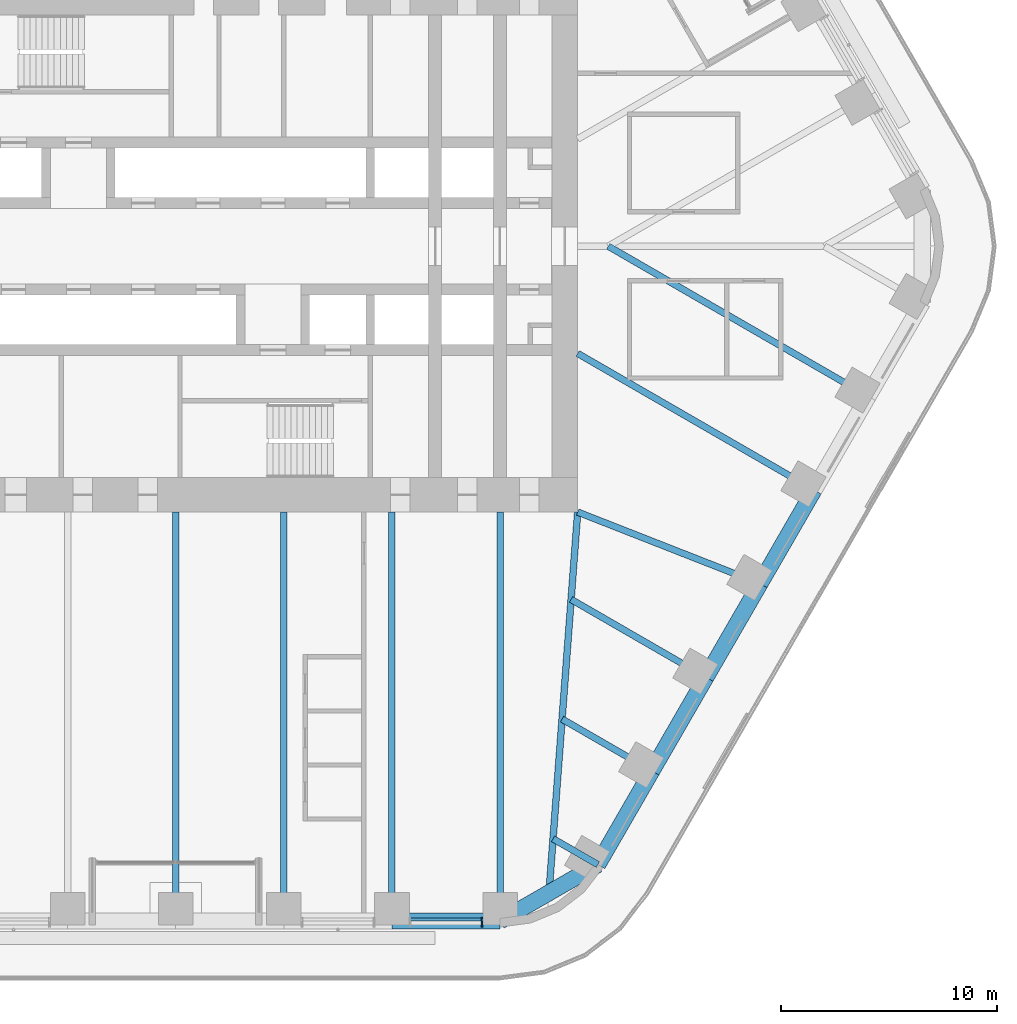
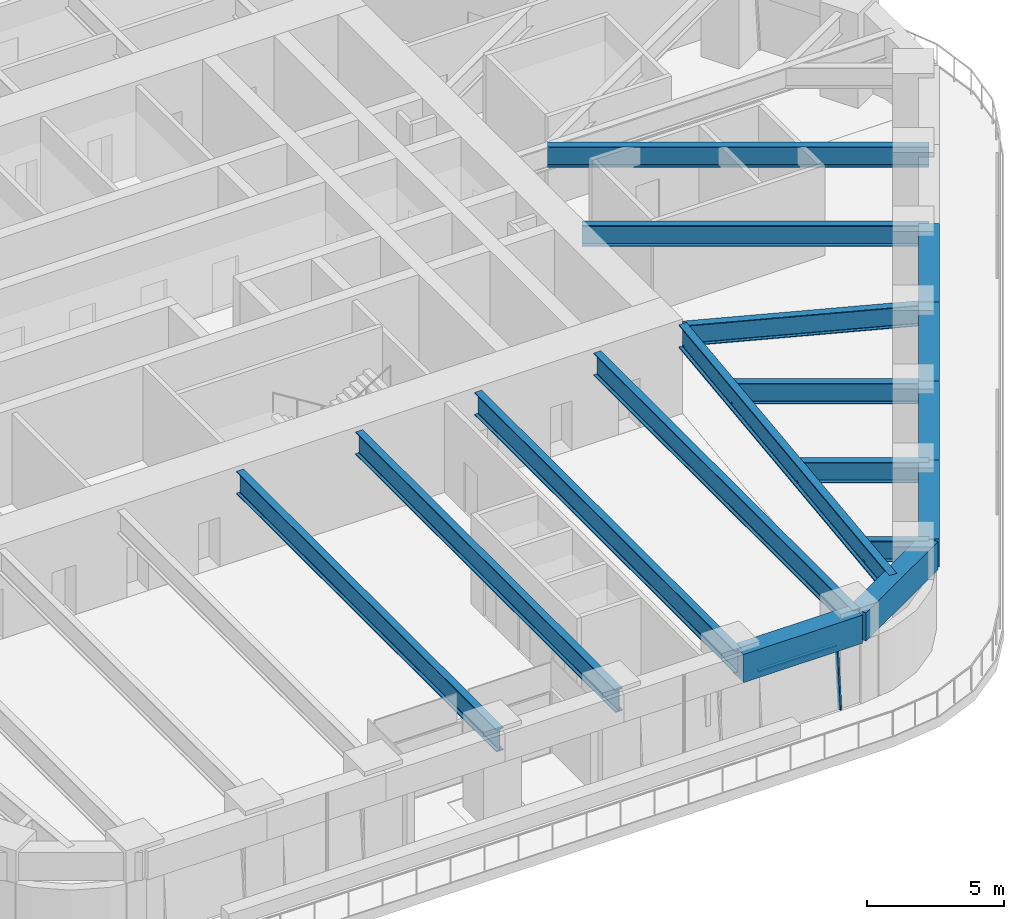
# One storey, part 5 of 24: 17 beams, 2 members, 1 element without a shape of its own.
"""IFC4 building model written with IfcOpenShell, lengths in metres."""

from ifc_helpers import new_model, si_unit, direction, frame, origin, origin_2d, place, context, subcontext, project, spatial, rectangle, i_section, extrude, material, material_profile, profile_set, type_object, element, aggregate, save


model = new_model("IFC4")

# Units and contexts
model_context = context("Model", 3, precision=1e-05, world=origin(), true_north=direction((0.0, 1.0)))
body_context = subcontext(model_context, "Body", "Model", "MODEL_VIEW")
ifc_project = project(units=[si_unit("LENGTHUNIT", "METRE"), si_unit("AREAUNIT", "SQUARE_METRE"), si_unit("VOLUMEUNIT", "CUBIC_METRE"), si_unit("PLANEANGLEUNIT", "RADIAN"), si_unit("MASSUNIT", "GRAM", prefix="KILO")], contexts=[model_context])

# Site, building, storey
site_placement = place(None, origin())
site = spatial("IfcSite", under=ifc_project, at=site_placement, CompositionType="ELEMENT")
building_placement = place(site_placement, origin())
building = spatial("IfcBuilding", under=site, at=building_placement, Name="Tarfa Lantern Tower", CompositionType="ELEMENT")
storey_placement = place(building_placement, frame((0.0, 0.0, 144.699951171875)))
storey = spatial("IfcBuildingStorey", under=building, at=storey_placement, Name="L32", CompositionType="ELEMENT", Elevation=144.699951171875)

# Curtain wall, members
ifc_material_1 = material(Name="Aluminium framed curtain wall", Category="aluminium")
curtain_wall_type = type_object("IfcCurtainWallType", Name="CW2 CANTED GLAZING MID ZONE 2750", PredefinedType="USERDEFINED", material=ifc_material_1)
curtain_wall_placement = place(storey_placement, origin())
curtain_wall = element("IfcCurtainWall", 1, at=curtain_wall_placement, inside=storey, type_object=curtain_wall_type, Name="CW2 SB L32", ObjectType="CURTAIN WALL", PredefinedType="USERDEFINED")
ifc_material_2 = material(Name="Aluminium mullion", Category="aluminium")
ifc_material_profile_1 = material_profile(ifc_material_2, rectangle(XDim=0.06494140625, YDim=0.199951171875, at=origin_2d()), Name="AL MULLION 65x200")
ifc_profile_set_1 = profile_set([ifc_material_profile_1], Name="Aluminium mullion")
member_type_1 = type_object("IfcMemberType", Name="CWM1 MULLION 65x200", PredefinedType="MULLION", material=ifc_profile_set_1)
member_1_placement = place(storey_placement, frame((14.1787109375, -31.39990234375, 0.0), z_axis=(0.0, 0.090535746043, 0.995893206468), x_axis=(-1.0, 0.0, 0.0)))
member_1 = element("IfcMember", 2, at=member_1_placement, type_object=member_type_1, Name="CW2 mullion 2", PredefinedType="MULLION", context=body_context, shape_type="SweptSolid", body=[
    extrude(rectangle(XDim=0.06494140625, YDim=0.199951171875, at=origin_2d()), origin(), (0.0, 0.0, 1.0), 2.76123046875),
])
ifc_material_3 = material(Name="Aluminium transom", Category="aluminium")
ifc_material_profile_2 = material_profile(ifc_material_3, rectangle(XDim=0.14990234375, YDim=0.06494140625, at=origin_2d()), Name="AL TRANSOM 150x65")
ifc_profile_set_2 = profile_set([ifc_material_profile_2], Name="Aluminium transom")
member_type_2 = type_object("IfcMemberType", Name="CWT1 TRANSOM 150x65", PredefinedType="USERDEFINED", material=ifc_profile_set_2)
member_2_placement = place(storey_placement, frame((10.872314453125, -31.153076171875, 2.717529296875), z_axis=(1.0, 0.0, 0.0), x_axis=(0.0, 1.0, 0.0)))
member_2 = element("IfcMember", 3, at=member_2_placement, type_object=member_type_2, Name="CW2 transom 1.2", ObjectType="TRANSOM", PredefinedType="USERDEFINED", context=body_context, shape_type="SweptSolid", body=[
    extrude(rectangle(XDim=0.14990234375, YDim=0.06494140625, at=origin_2d()), origin(), (0.0, 0.0, 1.0), 3.273681640625),
])
aggregate(curtain_wall, [member_1, member_2])

# Beams
ifc_material_4 = material(Name="Concrete C80/95", Category="concrete")
ifc_material_profile_3 = material_profile(ifc_material_4, rectangle(XDim=0.75, YDim=1.25, at=origin_2d()), Name="RC 750x1250")
ifc_profile_set_3 = profile_set([ifc_material_profile_3], Name="Concrete C80/95")
beam_type_1 = type_object("IfcBeamType", Name="EB2 RC 750x1250", PredefinedType="SPANDREL", material=ifc_profile_set_3)
beam_1_placement = place(storey_placement, frame((10.00732421875, -31.219970703125, 3.375), z_axis=(1.0, 0.0, 0.0), x_axis=(0.0, 1.0, 0.0)))
element("IfcBeam", 4, at=beam_1_placement, inside=storey, type_object=beam_type_1, Name="Edge beam S5", PredefinedType="SPANDREL", context=body_context, shape_type="SweptSolid", body=[
    extrude(rectangle(XDim=0.75, YDim=1.25, at=origin_2d()), origin(), (0.0, 0.0, 1.0), 5.003662109375),
])
beam_2_placement = place(storey_placement, frame((15.010986328125, -31.219970703125, 3.375), z_axis=(0.86604150238, 0.499972115377, 0.0), x_axis=(-0.499972115377, 0.86604150238, 0.0)))
element("IfcBeam", 5, at=beam_2_placement, inside=storey, type_object=beam_type_1, Name="Edge beam S6", PredefinedType="SPANDREL", context=body_context, shape_type="SweptSolid", body=[
    extrude(rectangle(XDim=0.75, YDim=1.25, at=origin_2d()), origin(), (0.0, 0.0, 1.0), 5.219970703125),
])
beam_3_placement = place(storey_placement, frame((19.53173828125, -28.610107421875, 3.375), z_axis=(0.500001197378, 0.866024712477, 0.0), x_axis=(-0.866024712477, 0.500001197378, 0.0)))
element("IfcBeam", 6, at=beam_3_placement, inside=storey, type_object=beam_type_1, Name="Edge beam SE0", PredefinedType="SPANDREL", context=body_context, shape_type="SweptSolid", body=[
    extrude(rectangle(XDim=0.75, YDim=1.25, at=origin_2d()), origin(), (0.0, 0.0, 1.0), 5.00390625),
])
for number, where, z_axis, x_axis, name in (
    (7, (22.03369140625, -24.276611328125, 3.375), (0.49998573051, 0.866033642122, 0.0), (-0.866033642122, 0.49998573051, 0.0), "Edge beam SE1"),
    (8, (24.535400390625, -19.943359375, 3.375), (0.500022324899, 0.866012514114, 0.0), (-0.866012514114, 0.500022324899, 0.0), "Edge beam SE2"),
    (9, (27.037353515625, -15.610107421875, 3.375), (0.499964603504, 0.866045838996, 0.0), (-0.866045838996, 0.499964603504, 0.0), "Edge beam SE3"),
):
    element("IfcBeam", number, at=place(storey_placement, frame(where, z_axis=z_axis, x_axis=x_axis)), inside=storey, type_object=beam_type_1, Name=name, PredefinedType="SPANDREL", context=body_context, shape_type="SweptSolid", body=[
        extrude(rectangle(XDim=0.75, YDim=1.25, at=origin_2d()), origin(), (0.0, 0.0, 1.0), 5.003662109375),
    ])
ifc_material_5 = material(Name="Steel S460M", Category="steel")
ifc_material_profile_4 = material_profile(ifc_material_5, i_section(OverallWidth=0.302001953125, OverallDepth=1.008056640625, WebThickness=0.02099609375, FlangeThickness=0.0400390625, FilletRadius=0.030029296875, at=origin_2d()), Name="UB1016x305x349")
ifc_profile_set_4 = profile_set([ifc_material_profile_4], Name="Steel S460M")
beam_type_2 = type_object("IfcBeamType", Name="UB1016x305x349", PredefinedType="BEAM", material=ifc_profile_set_4)
for number, where, z_axis, x_axis, name in (
    (10, (0.0, -31.219970703125, 3.49609375), (0.0, 1.0, 0.0), (-1.0, 0.0, 0.0), "Floor beam S3"),
    (11, (5.003662109375, -31.219970703125, 3.49609375), (0.0, 1.0, 0.0), (-1.0, 0.0, 0.0), "Floor beam S4"),
    (12, (10.00732421875, -31.219970703125, 3.49609375), (0.0, 1.0, 0.0), (-1.0, 0.0, 0.0), "Floor beam S5"),
    (13, (15.010986328125, -31.219970703125, 3.49609375), (0.0, 1.0, 0.0), (-1.0, 0.0, 0.0), "Floor beam S6"),
):
    element("IfcBeam", number, at=place(storey_placement, frame(where, z_axis=z_axis, x_axis=x_axis)), inside=storey, type_object=beam_type_2, Name=name, PredefinedType="BEAM", context=body_context, shape_type="SweptSolid", body=[
        extrude(i_section(OverallWidth=0.302001953125, OverallDepth=1.008056640625, WebThickness=0.02099609375, FlangeThickness=0.0400390625, FilletRadius=0.030029296875, at=origin_2d()), origin(), (0.0, 0.0, 1.0), 18.919921875),
    ])
ifc_material_profile_5 = material_profile(ifc_material_5, i_section(OverallWidth=0.30859375, OverallDepth=1.036376953125, WebThickness=0.030029296875, FlangeThickness=0.05419921875, FilletRadius=0.030029296875, at=origin_2d()), Name="UB1016x305x487")
ifc_profile_set_5 = profile_set([ifc_material_profile_5], Name="Steel S460M")
beam_type_3 = type_object("IfcBeamType", Name="UB1016x305x487", PredefinedType="BEAM", material=ifc_profile_set_5)
beam_4_placement = place(storey_placement, frame((18.60009765625, -12.300048828125, 3.48193359375), z_axis=(-0.075211516041, -0.99716760269, 0.0), x_axis=(0.99716760269, -0.075211516041, 0.0)))
element("IfcBeam", 14, at=beam_4_placement, inside=storey, type_object=beam_type_3, Name="Hip girder SE", PredefinedType="BEAM", context=body_context, shape_type="SweptSolid", body=[
    extrude(i_section(OverallWidth=0.30859375, OverallDepth=1.036376953125, WebThickness=0.030029296875, FlangeThickness=0.05419921875, FilletRadius=0.030029296875, at=origin_2d()), origin(), (0.0, 0.0, 1.0), 17.6650390625),
])
ifc_material_profile_6 = material_profile(ifc_material_5, i_section(OverallWidth=0.305419921875, OverallDepth=0.91845703125, WebThickness=0.017333984375, FlangeThickness=0.02783203125, FilletRadius=0.01904296875, at=origin_2d()), Name="UB914x305x253")
ifc_profile_set_6 = profile_set([ifc_material_profile_6], Name="Steel S460M")
beam_type_4 = type_object("IfcBeamType", Name="UB914x305x253", PredefinedType="BEAM", material=ifc_profile_set_6)
beam_5_placement = place(storey_placement, frame((19.53173828125, -28.610107421875, 3.540771484375), z_axis=(-0.865998640954, 0.500046351717, 0.0), x_axis=(-0.500046351717, -0.865998640954, 0.0)))
element("IfcBeam", 15, at=beam_5_placement, inside=storey, type_object=beam_type_4, Name="Floor beam SE0", PredefinedType="BEAM", context=body_context, shape_type="SweptSolid", body=[
    extrude(i_section(OverallWidth=0.305419921875, OverallDepth=0.91845703125, WebThickness=0.017333984375, FlangeThickness=0.02783203125, FilletRadius=0.01904296875, at=origin_2d()), origin(), (0.0, 0.0, 1.0), 2.392333984375),
])
beam_6_placement = place(storey_placement, frame((22.03369140625, -24.276611328125, 3.540771484375), z_axis=(-0.866030550462, 0.499991085587, 0.0), x_axis=(-0.499991085587, -0.866030550462, 0.0)))
element("IfcBeam", 16, at=beam_6_placement, inside=storey, type_object=beam_type_4, Name="Floor beam SE1", PredefinedType="BEAM", context=body_context, shape_type="SweptSolid", body=[
    extrude(i_section(OverallWidth=0.305419921875, OverallDepth=0.91845703125, WebThickness=0.017333984375, FlangeThickness=0.02783203125, FilletRadius=0.01904296875, at=origin_2d()), origin(), (0.0, 0.0, 1.0), 4.798828125),
])
beam_7_placement = place(storey_placement, frame((24.535400390625, -19.943359375, 3.540771484375), z_axis=(-0.86602647304, 0.499998147991, 0.0), x_axis=(-0.499998147991, -0.86602647304, 0.0)))
element("IfcBeam", 17, at=beam_7_placement, inside=storey, type_object=beam_type_4, Name="Floor beam SE2", PredefinedType="BEAM", context=body_context, shape_type="SweptSolid", body=[
    extrude(i_section(OverallWidth=0.305419921875, OverallDepth=0.91845703125, WebThickness=0.017333984375, FlangeThickness=0.02783203125, FilletRadius=0.01904296875, at=origin_2d()), origin(), (0.0, 0.0, 1.0), 7.20556640625),
])
beam_8_placement = place(storey_placement, frame((27.037353515625, -15.610107421875, 3.540771484375), z_axis=(-0.930923282782, 0.365214788274, 0.0), x_axis=(-0.365214788274, -0.930923282782, 0.0)))
element("IfcBeam", 18, at=beam_8_placement, inside=storey, type_object=beam_type_4, Name="Floor beam SE3", PredefinedType="BEAM", context=body_context, shape_type="SweptSolid", body=[
    extrude(i_section(OverallWidth=0.305419921875, OverallDepth=0.91845703125, WebThickness=0.017333984375, FlangeThickness=0.02783203125, FilletRadius=0.01904296875, at=origin_2d()), origin(), (0.0, 0.0, 1.0), 9.063232421875),
])
beam_9_placement = place(storey_placement, frame((29.5390625, -11.276611328125, 3.540771484375), z_axis=(-0.866023362995, 0.500003534735, 0.0), x_axis=(-0.500003534735, -0.866023362995, 0.0)))
element("IfcBeam", 19, at=beam_9_placement, inside=storey, type_object=beam_type_4, Name="Floor beam SE4", PredefinedType="BEAM", context=body_context, shape_type="SweptSolid", body=[
    extrude(i_section(OverallWidth=0.305419921875, OverallDepth=0.91845703125, WebThickness=0.017333984375, FlangeThickness=0.02783203125, FilletRadius=0.01904296875, at=origin_2d()), origin(), (0.0, 0.0, 1.0), 12.63134765625),
])
beam_10_placement = place(storey_placement, frame((32.041015625, -6.943359375, 3.540771484375), z_axis=(-0.866023096411, 0.500003996466, 0.0), x_axis=(-0.500003996466, -0.866023096411, 0.0)))
element("IfcBeam", 20, at=beam_10_placement, inside=storey, type_object=beam_type_4, Name="Floor beam SE5", PredefinedType="BEAM", context=body_context, shape_type="SweptSolid", body=[
    extrude(i_section(OverallWidth=0.305419921875, OverallDepth=0.91845703125, WebThickness=0.017333984375, FlangeThickness=0.02783203125, FilletRadius=0.01904296875, at=origin_2d()), origin(), (0.0, 0.0, 1.0), 13.88671875),
])

save(model, "model.ifc")
